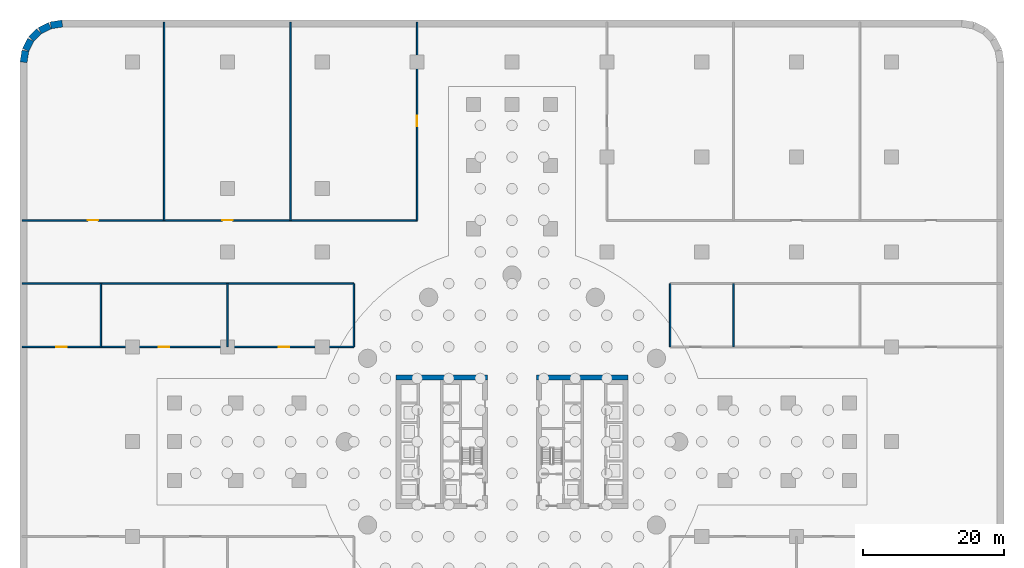
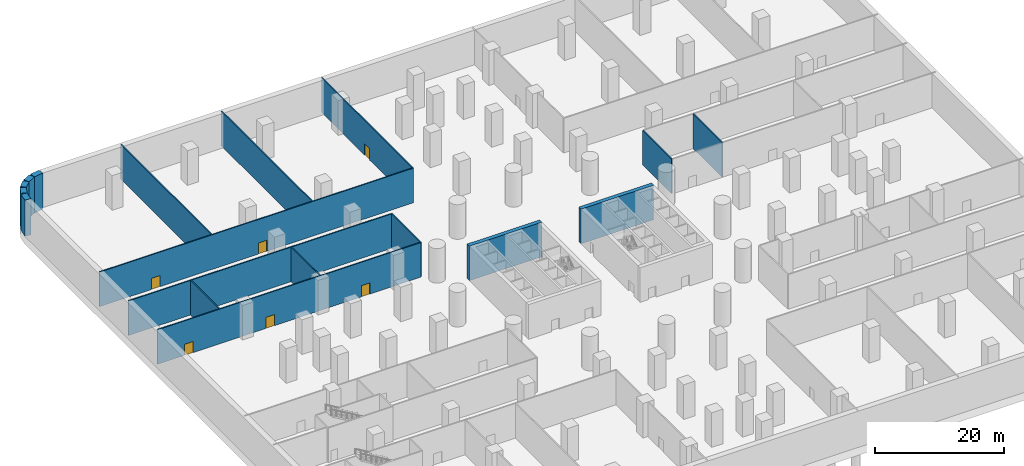
# One storey, part 8 of 13: 18 walls, 6 doors, 6 openings.
"""IFC4 building model written with IfcOpenShell, lengths in metres."""

from ifc_helpers import new_model, si_unit, direction, frame, frame_2d, origin, place, context, subcontext, project, spatial, rectangle, extrude, material, layer, layer_set, type_object, element, fill, save


model = new_model("IFC4")

# Units and contexts
model_context = context("Model", 3, precision=1e-05, world=origin(), true_north=direction((0.0, 1.0)))
body_context = subcontext(model_context, "Body", "Model", "MODEL_VIEW")
ifc_project = project(units=[si_unit("LENGTHUNIT", "METRE"), si_unit("AREAUNIT", "SQUARE_METRE"), si_unit("VOLUMEUNIT", "CUBIC_METRE"), si_unit("PLANEANGLEUNIT", "RADIAN"), si_unit("MASSUNIT", "GRAM", prefix="KILO")], contexts=[model_context])

# Site, building, storey
site_placement = place(None, origin())
site = spatial("IfcSite", under=ifc_project, at=site_placement, CompositionType="ELEMENT")
building_placement = place(site_placement, origin())
building = spatial("IfcBuilding", under=site, at=building_placement, Name="Tamarind Cross Interchange Tower", CompositionType="ELEMENT")
storey_placement = place(building_placement, frame((0.0, 0.0, -21.0)))
storey = spatial("IfcBuildingStorey", under=building, at=storey_placement, Name="B3", CompositionType="ELEMENT", Elevation=-21.0)

# Walls
ifc_material_1 = material(Name="Concrete C40", Category="concrete")
ifc_layer_1 = layer(ifc_material_1, 1.0)
ifc_layer_set_1 = layer_set([ifc_layer_1], Name="Concrete C40")
wall_type_1 = type_object("IfcWallType", Name="Basement wall 1000 Concrete C40", PredefinedType="SOLIDWALL", material=ifc_layer_set_1)
wall_1_placement = place(storey_placement, frame((-69.495361328125, 53.989501953125, -0.300048828125), z_axis=(0.0, 0.0, 1.0), x_axis=(0.156430639922, 0.987688946427, 0.0)))
element("IfcWall", 1, at=wall_1_placement, inside=storey, type_object=wall_type_1, Name="Basement wall B3-8", PredefinedType="SOLIDWALL", context=body_context, shape_type="SweptSolid", body=[
    extrude(rectangle(XDim=1.66064453125, YDim=1.0, at=frame_2d((0.830322265625, 0.0))), origin(), (0.0, 0.0, 1.0), 6.85009765625),
])
for number, where, z_axis, x_axis, name in (
    (2, (-69.193603515625, 55.759033203125, -0.300048828125), (0.0, 0.0, 1.0), (0.453995177443, 0.891004140764, 0.0), "Basement wall B3-9"),
    (3, (-68.395751953125, 57.27783203125, -0.300048828125), (0.0, 0.0, 1.0), (0.707106781187, 0.707106781187, 0.0), "Basement wall B3-10"),
    (4, (-67.167724609375, 58.475830078125, -0.300048828125), (0.0, 0.0, 1.0), (0.891004140764, 0.453995177443, 0.0), "Basement wall B3-11"),
):
    element("IfcWall", number, at=place(storey_placement, frame(where, z_axis=z_axis, x_axis=x_axis)), inside=storey, type_object=wall_type_1, Name=name, PredefinedType="SOLIDWALL", context=body_context, shape_type="SweptSolid", body=[
        extrude(rectangle(XDim=1.5810546875, YDim=1.0, at=frame_2d((0.79052734375, 0.0))), origin(), (0.0, 0.0, 1.0), 6.85009765625),
    ])
wall_2_placement = place(storey_placement, frame((-65.629638671875, 59.235595703125, -0.300048828125), z_axis=(0.0, 0.0, 1.0), x_axis=(0.987688946427, 0.156430639922, 0.0)))
element("IfcWall", 5, at=wall_2_placement, inside=storey, type_object=wall_type_1, Name="Basement wall B3-12", PredefinedType="SOLIDWALL", context=body_context, shape_type="SweptSolid", body=[
    extrude(rectangle(XDim=1.66064453125, YDim=1.0, at=frame_2d((0.830322265625, 0.0))), origin(), (0.0, 0.0, 1.0), 6.85009765625),
])
ifc_material_2 = material(Name="Concrete C80", Category="concrete")
ifc_layer_2 = layer(ifc_material_2, 0.699951171875)
ifc_layer_set_2 = layer_set([ifc_layer_2], Name="Concrete C80")
wall_type_2 = type_object("IfcWallType", Name="Core wall 700 mm Concrete C80", PredefinedType="SHEAR", material=ifc_layer_set_2)
for number, where, z_axis, x_axis, name in (
    (6, (-16.5, 9.14990234375, 0.0), (0.0, 0.0, 1.0), (1.0, 0.0, 0.0), "Core wall CWL-B3-W-NE"),
    (7, (16.5, 9.14990234375, 0.0), (0.0, 0.0, 1.0), (-1.0, 0.0, 0.0), "Core wall CWL-B3-E-NE"),
):
    element("IfcWall", number, at=place(storey_placement, frame(where, z_axis=z_axis, x_axis=x_axis)), inside=storey, type_object=wall_type_2, Name=name, PredefinedType="SHEAR", context=body_context, shape_type="SweptSolid", body=[
        extrude(rectangle(XDim=13.0, YDim=0.699951171875, at=frame_2d((6.5, 0.0))), origin(), (0.0, 0.0, 1.0), 6.550048828125),
    ])

# Wall, openings, doors
ifc_material_3 = material(Name="Masonry partition, fire-rated", Category="masonry")
ifc_layer_3 = layer(ifc_material_3, 0.199951171875)
ifc_layer_set_3 = layer_set([ifc_layer_3], Name="Masonry partition, fire-rated")
wall_type_3 = type_object("IfcWallType", Name="Fire partition 200 EI 120", PredefinedType="PARTITIONING", material=ifc_layer_set_3)
wall_3_placement = place(storey_placement, frame((-69.698974609375, 13.5, 0.0), z_axis=(0.0, 0.0, 1.0), x_axis=(1.0, 0.0, 0.0)))
wall_3 = element("IfcWall", 8, at=wall_3_placement, inside=storey, type_object=wall_type_3, Name="B3 partition 12", PredefinedType="PARTITIONING", context=body_context, shape_type="SweptSolid", body=[
    extrude(rectangle(XDim=47.198974609375, YDim=0.199951171875, at=frame_2d((23.599609375, 0.0))), origin(), (0.0, 0.0, 1.0), 6.550048828125),
])
opening_1_placement = place(wall_3_placement, frame((36.541015625, 0.0, 0.0)))
opening_1 = element("IfcOpeningElement", 9, at=opening_1_placement, cuts=wall_3, Name="Opening DB3-09", PredefinedType="OPENING", context=body_context, shape_type="SweptSolid", body=[
    extrude(rectangle(XDim=1.5, YDim=2.10009765625, at=frame_2d((0.75, 1.050048828125))), frame((0.0, 0.10986328125, 0.0), z_axis=(0.0, -1.0, 0.0), x_axis=(1.0, 0.0, 0.0)), (0.0, 0.0, 1.0), 0.219970703125),
])
opening_2_placement = place(wall_3_placement, frame((19.448974609375, 0.0, 0.0)))
opening_2 = element("IfcOpeningElement", 10, at=opening_2_placement, cuts=wall_3, Name="Opening DB3-10", PredefinedType="OPENING", context=body_context, shape_type="SweptSolid", body=[
    extrude(rectangle(XDim=1.5, YDim=2.10009765625, at=frame_2d((0.75, 1.050048828125))), frame((0.0, 0.10986328125, 0.0), z_axis=(0.0, -1.0, 0.0), x_axis=(1.0, 0.0, 0.0)), (0.0, 0.0, 1.0), 0.219970703125),
])
opening_3_placement = place(wall_3_placement, frame((4.84912109375, 0.0, 0.0)))
opening_3 = element("IfcOpeningElement", 11, at=opening_3_placement, cuts=wall_3, Name="Opening DB3-11", PredefinedType="OPENING", context=body_context, shape_type="SweptSolid", body=[
    extrude(rectangle(XDim=1.5, YDim=2.10009765625, at=frame_2d((0.75, 1.050048828125))), frame((0.0, 0.10986328125, 0.0), z_axis=(0.0, -1.0, 0.0), x_axis=(1.0, 0.0, 0.0)), (0.0, 0.0, 1.0), 0.219970703125),
])
ifc_material_4 = material(Name="Steel, fire-resisting", Category="steel")
door_type_1 = type_object("IfcDoorType", Name="Podium door 1500 x 2100 FD60", OperationType="SINGLE_SWING_LEFT", PredefinedType="DOOR", material=ifc_material_4)
door_1_placement = place(opening_1_placement, origin())
door_1 = element("IfcDoor", 12, at=door_1_placement, inside=storey, type_object=door_type_1, Name="B3 door Pump Room B307", OperationType="SINGLE_SWING_LEFT", OverallHeight=2.10009765625, OverallWidth=1.5, PredefinedType="DOOR", context=body_context, shape_type="SweptSolid", body=[
    extrude(rectangle(XDim=1.5, YDim=2.10009765625, at=frame_2d((0.75, 1.050048828125))), frame((0.0, 0.02490234375, 0.0), z_axis=(0.0, -1.0, 0.0), x_axis=(1.0, 0.0, 0.0)), (0.0, 0.0, 1.0), 0.050048828125),
])
fill(opening_1, door_1)
door_2_placement = place(opening_2_placement, origin())
door_2 = element("IfcDoor", 13, at=door_2_placement, inside=storey, type_object=door_type_1, Name="B3 door Water Tank Room B308", OperationType="SINGLE_SWING_RIGHT", OverallHeight=2.10009765625, OverallWidth=1.5, PredefinedType="DOOR", context=body_context, shape_type="SweptSolid", body=[
    extrude(rectangle(XDim=1.5, YDim=2.10009765625, at=frame_2d((0.75, 1.050048828125))), frame((0.0, 0.02490234375, 0.0), z_axis=(0.0, -1.0, 0.0), x_axis=(1.0, 0.0, 0.0)), (0.0, 0.0, 1.0), 0.050048828125),
])
fill(opening_2, door_2)
door_3_placement = place(opening_3_placement, origin())
door_3 = element("IfcDoor", 14, at=door_3_placement, inside=storey, type_object=door_type_1, Name="B3 door Fire Pump Room B309", OperationType="SINGLE_SWING_LEFT", OverallHeight=2.10009765625, OverallWidth=1.5, PredefinedType="DOOR", context=body_context, shape_type="SweptSolid", body=[
    extrude(rectangle(XDim=1.5, YDim=2.10009765625, at=frame_2d((0.75, 1.050048828125))), frame((0.0, 0.02490234375, 0.0), z_axis=(0.0, -1.0, 0.0), x_axis=(1.0, 0.0, 0.0)), (0.0, 0.0, 1.0), 0.050048828125),
])
fill(opening_3, door_3)

# Wall
wall_4_placement = place(storey_placement, frame((-69.698974609375, 22.5, 0.0), z_axis=(0.0, 0.0, 1.0), x_axis=(1.0, 0.0, 0.0)))
element("IfcWall", 15, at=wall_4_placement, inside=storey, type_object=wall_type_3, Name="B3 partition 13", PredefinedType="PARTITIONING", context=body_context, shape_type="SweptSolid", body=[
    extrude(rectangle(XDim=47.198974609375, YDim=0.199951171875, at=frame_2d((23.599609375, 0.0))), origin(), (0.0, 0.0, 1.0), 6.550048828125),
])

# Wall, openings, doors
wall_5_placement = place(storey_placement, frame((-69.698974609375, 31.5, 0.0), z_axis=(0.0, 0.0, 1.0), x_axis=(1.0, 0.0, 0.0)))
wall_5 = element("IfcWall", 16, at=wall_5_placement, inside=storey, type_object=wall_type_3, Name="B3 partition 14", PredefinedType="PARTITIONING", context=body_context, shape_type="SweptSolid", body=[
    extrude(rectangle(XDim=56.198974609375, YDim=0.199951171875, at=frame_2d((28.099609375, 0.0))), origin(), (0.0, 0.0, 1.0), 6.550048828125),
])
opening_4_placement = place(wall_5_placement, frame((28.448974609375, 0.0, 0.0)))
opening_4 = element("IfcOpeningElement", 17, at=opening_4_placement, cuts=wall_5, Name="Opening DB3-13", PredefinedType="OPENING", context=body_context, shape_type="SweptSolid", body=[
    extrude(rectangle(XDim=1.5, YDim=2.10009765625, at=frame_2d((0.75, 1.050048828125))), frame((0.0, 0.10986328125, 0.0), z_axis=(0.0, -1.0, 0.0), x_axis=(1.0, 0.0, 0.0)), (0.0, 0.0, 1.0), 0.219970703125),
])
opening_5_placement = place(wall_5_placement, frame((9.339111328125, 0.0, 0.0)))
opening_5 = element("IfcOpeningElement", 18, at=opening_5_placement, cuts=wall_5, Name="Opening DB3-14", PredefinedType="OPENING", context=body_context, shape_type="SweptSolid", body=[
    extrude(rectangle(XDim=1.5, YDim=2.10009765625, at=frame_2d((0.75, 1.050048828125))), frame((0.0, 0.10986328125, 0.0), z_axis=(0.0, -1.0, 0.0), x_axis=(1.0, 0.0, 0.0)), (0.0, 0.0, 1.0), 0.219970703125),
])
door_4_placement = place(opening_4_placement, origin())
door_4 = element("IfcDoor", 19, at=door_4_placement, inside=storey, type_object=door_type_1, Name="B3 door Battery Room B311", OperationType="SINGLE_SWING_LEFT", OverallHeight=2.10009765625, OverallWidth=1.5, PredefinedType="DOOR", context=body_context, shape_type="SweptSolid", body=[
    extrude(rectangle(XDim=1.5, YDim=2.10009765625, at=frame_2d((0.75, 1.050048828125))), frame((0.0, 0.02490234375, 0.0), z_axis=(0.0, -1.0, 0.0), x_axis=(1.0, 0.0, 0.0)), (0.0, 0.0, 1.0), 0.050048828125),
])
fill(opening_4, door_4)
door_type_2 = type_object("IfcDoorType", Name="Podium door 1500 x 2100 FD90", OperationType="SINGLE_SWING_LEFT", PredefinedType="DOOR", material=ifc_material_4)
door_5_placement = place(opening_5_placement, origin())
door_5 = element("IfcDoor", 20, at=door_5_placement, inside=storey, type_object=door_type_2, Name="B3 door Chiller Plant Room B312", OperationType="SINGLE_SWING_RIGHT", OverallHeight=2.10009765625, OverallWidth=1.5, PredefinedType="DOOR", context=body_context, shape_type="SweptSolid", body=[
    extrude(rectangle(XDim=1.5, YDim=2.10009765625, at=frame_2d((0.75, 1.050048828125))), frame((0.0, 0.02490234375, 0.0), z_axis=(0.0, -1.0, 0.0), x_axis=(1.0, 0.0, 0.0)), (0.0, 0.0, 1.0), 0.050048828125),
])
fill(opening_5, door_5)

# Walls
wall_6_placement = place(storey_placement, frame((-58.5, 13.5, 0.0), z_axis=(0.0, 0.0, 1.0), x_axis=(0.0, 1.0, 0.0)))
element("IfcWall", 21, at=wall_6_placement, inside=storey, type_object=wall_type_3, Name="B3 partition 16", PredefinedType="PARTITIONING", context=body_context, shape_type="SweptSolid", body=[
    extrude(rectangle(XDim=9.0, YDim=0.199951171875, at=frame_2d((4.5, 0.0))), origin(), (0.0, 0.0, 1.0), 6.550048828125),
])
wall_7_placement = place(storey_placement, frame((-49.5, 31.5, 0.0), z_axis=(0.0, 0.0, 1.0), x_axis=(0.0, 1.0, 0.0)))
element("IfcWall", 22, at=wall_7_placement, inside=storey, type_object=wall_type_3, Name="B3 partition 19", PredefinedType="PARTITIONING", context=body_context, shape_type="SweptSolid", body=[
    extrude(rectangle(XDim=28.198974609375, YDim=0.199951171875, at=frame_2d((14.099609375, 0.0))), origin(), (0.0, 0.0, 1.0), 6.550048828125),
])
for number, where, z_axis, x_axis, name in (
    (23, (-22.5, 13.5, 0.0), (0.0, 0.0, 1.0), (0.0, 1.0, 0.0), "B3 partition 24"),
    (24, (-40.5, 13.5, 0.0), (0.0, 0.0, 1.0), (0.0, 1.0, 0.0), "B3 partition 25"),
):
    element("IfcWall", number, at=place(storey_placement, frame(where, z_axis=z_axis, x_axis=x_axis)), inside=storey, type_object=wall_type_3, Name=name, PredefinedType="PARTITIONING", context=body_context, shape_type="SweptSolid", body=[
        extrude(rectangle(XDim=9.0, YDim=0.199951171875, at=frame_2d((4.5, 0.0))), origin(), (0.0, 0.0, 1.0), 6.550048828125),
    ])

# Wall, opening, door
wall_8_placement = place(storey_placement, frame((-13.5, 31.5, 0.0), z_axis=(0.0, 0.0, 1.0), x_axis=(0.0, 1.0, 0.0)))
wall_8 = element("IfcWall", 25, at=wall_8_placement, inside=storey, type_object=wall_type_3, Name="B3 partition 28", PredefinedType="PARTITIONING", context=body_context, shape_type="SweptSolid", body=[
    extrude(rectangle(XDim=28.198974609375, YDim=0.199951171875, at=frame_2d((14.099609375, 0.0))), origin(), (0.0, 0.0, 1.0), 6.550048828125),
])
opening_6_placement = place(wall_8_placement, frame((13.35009765625, 0.0, 0.0)))
opening_6 = element("IfcOpeningElement", 26, at=opening_6_placement, cuts=wall_8, Name="Opening DB3-12", PredefinedType="OPENING", context=body_context, shape_type="SweptSolid", body=[
    extrude(rectangle(XDim=1.5, YDim=2.10009765625, at=frame_2d((0.75, 1.050048828125))), frame((0.0, 0.10986328125, 0.0), z_axis=(0.0, -1.0, 0.0), x_axis=(1.0, 0.0, 0.0)), (0.0, 0.0, 1.0), 0.219970703125),
])
door_6_placement = place(opening_6_placement, origin())
door_6 = element("IfcDoor", 27, at=door_6_placement, inside=storey, type_object=door_type_2, Name="B3 door Generator Room B310", OperationType="SINGLE_SWING_RIGHT", OverallHeight=2.10009765625, OverallWidth=1.5, PredefinedType="DOOR", context=body_context, shape_type="SweptSolid", body=[
    extrude(rectangle(XDim=1.5, YDim=2.10009765625, at=frame_2d((0.75, 1.050048828125))), frame((0.0, 0.02490234375, 0.0), z_axis=(0.0, -1.0, 0.0), x_axis=(1.0, 0.0, 0.0)), (0.0, 0.0, 1.0), 0.050048828125),
])
fill(opening_6, door_6)

# Walls
wall_9_placement = place(storey_placement, frame((-31.5, 31.5, 0.0), z_axis=(0.0, 0.0, 1.0), x_axis=(0.0, 1.0, 0.0)))
element("IfcWall", 28, at=wall_9_placement, inside=storey, type_object=wall_type_3, Name="B3 partition 29", PredefinedType="PARTITIONING", context=body_context, shape_type="SweptSolid", body=[
    extrude(rectangle(XDim=28.198974609375, YDim=0.199951171875, at=frame_2d((14.099609375, 0.0))), origin(), (0.0, 0.0, 1.0), 6.550048828125),
])
for number, where, z_axis, x_axis, name in (
    (29, (31.5, 13.5, 0.0), (0.0, 0.0, 1.0), (0.0, 1.0, 0.0), "B3 partition 36"),
    (30, (22.5, 13.5, 0.0), (0.0, 0.0, 1.0), (0.0, 1.0, 0.0), "B3 partition 37"),
):
    element("IfcWall", number, at=place(storey_placement, frame(where, z_axis=z_axis, x_axis=x_axis)), inside=storey, type_object=wall_type_3, Name=name, PredefinedType="PARTITIONING", context=body_context, shape_type="SweptSolid", body=[
        extrude(rectangle(XDim=9.0, YDim=0.199951171875, at=frame_2d((4.5, 0.0))), origin(), (0.0, 0.0, 1.0), 6.550048828125),
    ])

save(model, "model.ifc")
